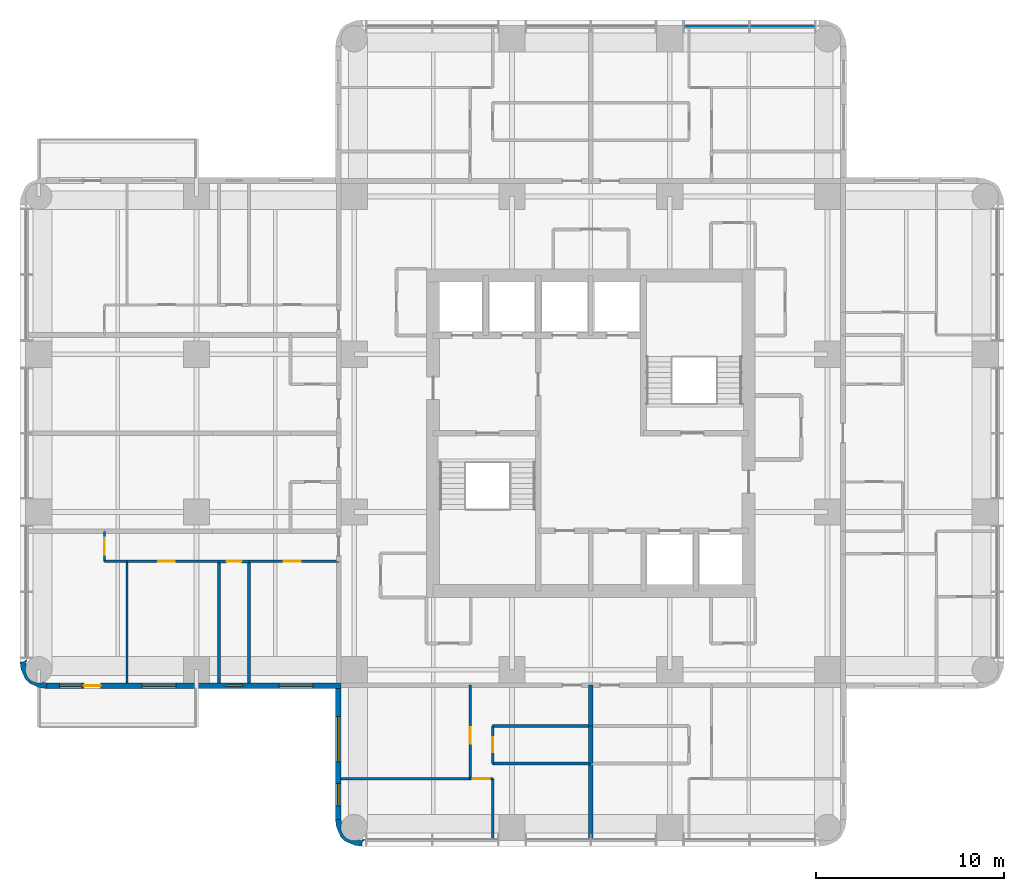
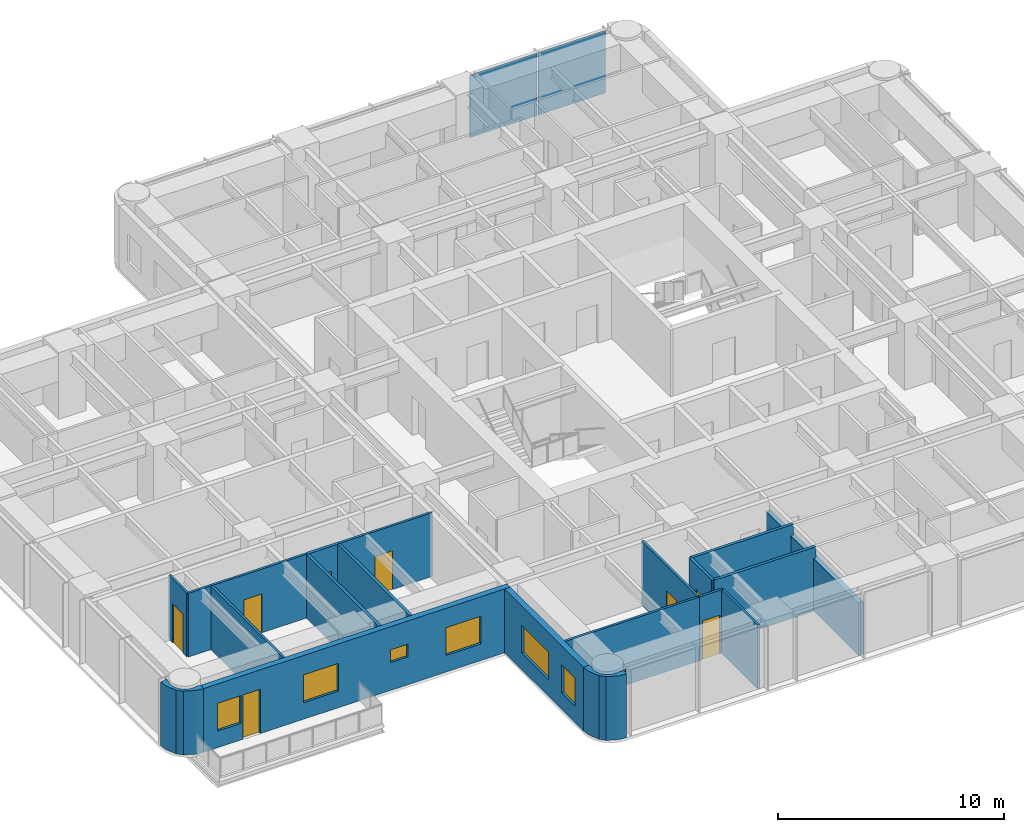
# One storey, part 4 of 11: 22 walls, 8 doors, 6 windows, 2 plates, 14 openings, 1 element without a shape of its own.
"""IFC4 building model written with IfcOpenShell, lengths in metres."""

import ifcopenshell
import ifcopenshell.guid

model = None  # the IFC model being written
_history = None  # IfcOwnerHistory: only IFC2X3 demands one
_inside = {}  # id of a spatial element -> (the spatial element, [elements in it])
_under = {}  # id of a project, library or spatial element -> (it, [spatial elements below it])
_declared = {}  # id of a project -> (the project, [libraries it declares])
_typed = {}  # id of a type object -> (the type object, [elements of that type])
_made_of = {}  # id of a material, layer set ... -> (it, [elements and type objects made of it])


def new_model(schema):
    """Start an empty IFC model of exactly this schema.

    Asked for "IFC4X3", IfcOpenShell would pick the latest addendum, in which some entities
    have other attributes; the version numbers below select the first issue.
    IFC2X3 requires an IfcOwnerHistory on every rooted entity: one is made here for all.
    """
    global model, _history
    if schema == "IFC4X3":
        model = ifcopenshell.file(schema_version=(4, 3, 0, 0))
    else:
        model = ifcopenshell.file(schema=schema)
    _inside.clear()
    _under.clear()
    _declared.clear()
    _typed.clear()
    _made_of.clear()
    _history = None
    if model.schema == "IFC2X3":
        org = make("IfcOrganization", Name="unknown")
        user = make(
            "IfcPersonAndOrganization",
            ThePerson=make("IfcPerson", FamilyName="unknown"),
            TheOrganization=org,
        )
        app = make(
            "IfcApplication",
            ApplicationDeveloper=org,
            Version="unknown",
            ApplicationFullName="unknown",
            ApplicationIdentifier="unknown",
        )
        _history = make(
            "IfcOwnerHistory",
            OwningUser=user,
            OwningApplication=app,
            ChangeAction="ADDED",
            CreationDate=0,
        )
    return model


def make(cls, **values):
    """One entity of the class cls with the attributes given. An attribute that is None is left unset."""
    return model.create_entity(
        cls, **{name: value for name, value in values.items() if value is not None}
    )


def rooted(cls, **values):
    """An entity with a GlobalId (a new one), such as an element, a storey or a relation."""
    return make(cls, GlobalId=ifcopenshell.guid.new(), OwnerHistory=_history, **values)


def si_unit(unit_type, name, prefix=None):
    """IfcSIUnit, for example si_unit("LENGTHUNIT", "METRE", prefix="MILLI")."""
    return make("IfcSIUnit", UnitType=unit_type, Prefix=prefix, Name=name)


def assignment(units):
    """IfcUnitAssignment: the units of a project."""
    return None if units is None else make("IfcUnitAssignment", Units=units)


def point(xyz):
    """IfcCartesianPoint."""
    return None if xyz is None else make("IfcCartesianPoint", Coordinates=xyz)


def direction(xyz):
    """IfcDirection."""
    return None if xyz is None else make("IfcDirection", DirectionRatios=xyz)


def frame(location, z_axis=None, x_axis=None):
    """IfcAxis2Placement3D, a coordinate frame: its origin and axes. An axis left out is left unset."""
    return make(
        "IfcAxis2Placement3D",
        Location=point(location),
        Axis=direction(z_axis),
        RefDirection=direction(x_axis),
    )


def frame_2d(location, x_axis=None):
    """IfcAxis2Placement2D, a coordinate frame in the plane: its origin and x axis."""
    return make(
        "IfcAxis2Placement2D", Location=point(location), RefDirection=direction(x_axis)
    )


def origin():
    """The frame at (0, 0, 0) with its axes left unset."""
    return frame((0.0, 0.0, 0.0))


def origin_2d():
    """The frame at (0, 0) in the plane with its x axis left unset."""
    return frame_2d((0.0, 0.0))


def place(relative_to, where):
    """IfcLocalPlacement: puts the frame where relative to a parent placement (None: the world)."""
    return make(
        "IfcLocalPlacement", PlacementRelTo=relative_to, RelativePlacement=where
    )


def context(
    kind, dimensions, precision=None, world=None, true_north=None, identifier=None
):
    """IfcGeometricRepresentationContext, for example the 3D "Model" context."""
    return make(
        "IfcGeometricRepresentationContext",
        ContextIdentifier=identifier,
        ContextType=kind,
        CoordinateSpaceDimension=dimensions,
        Precision=precision,
        WorldCoordinateSystem=world,
        TrueNorth=true_north,
    )


def subcontext(parent, identifier, kind, view, scale=None):
    """IfcGeometricRepresentationSubContext, for example "Body" below "Model"."""
    return make(
        "IfcGeometricRepresentationSubContext",
        ContextIdentifier=identifier,
        ContextType=kind,
        ParentContext=parent,
        TargetScale=scale,
        TargetView=view,
    )


def project(units=None, contexts=None):
    """IfcProject with its units and contexts."""
    return rooted(
        "IfcProject",
        Name="project",
        RepresentationContexts=contexts,
        UnitsInContext=assignment(units),
    )


def spatial(cls, under=None, at=None, **own):
    """A site, building, storey or space (cls), placed at a placement, below another one or the project."""
    s = rooted(cls, ObjectPlacement=at, **own)
    if under is not None:
        _under.setdefault(under.id(), (under, []))[1].append(s)
    return s


def polyline(points):
    """IfcPolyline through the points."""
    return make("IfcPolyline", Points=[point(p) for p in points])


def profile(cls, at=None, kind="AREA", **sizes):
    """A parametric profile (cls). Its sizes go by their IFC names, for example OverallWidth=200.0."""
    return make(cls, ProfileType=kind, Position=at, **sizes)


def rectangle(**sizes):
    """IfcRectangleProfileDef."""
    return profile("IfcRectangleProfileDef", **sizes)


def outline(outer, holes=None, kind="AREA"):
    """IfcArbitraryClosedProfileDef: a profile drawn as a closed curve; with holes, ...WithVoids."""
    if holes is None:
        return make("IfcArbitraryClosedProfileDef", ProfileType=kind, OuterCurve=outer)
    return make(
        "IfcArbitraryProfileDefWithVoids",
        ProfileType=kind,
        OuterCurve=outer,
        InnerCurves=holes,
    )


def extrude(swept, where, along, depth):
    """IfcExtrudedAreaSolid: the profile swept, set in the frame where, extruded along a direction by depth."""
    return make(
        "IfcExtrudedAreaSolid",
        SweptArea=swept,
        Position=where,
        ExtrudedDirection=direction(along),
        Depth=depth,
    )


def shape(context_of_items, identifier, shape_type, items):
    """IfcShapeRepresentation: the items that make up one representation, for example the "Body"."""
    return make(
        "IfcShapeRepresentation",
        ContextOfItems=context_of_items,
        RepresentationIdentifier=identifier,
        RepresentationType=shape_type,
        Items=items,
    )


def material(Name=None, Category=None):
    """IfcMaterial."""
    return make("IfcMaterial", Name=Name, Category=Category)


def layer(
    of_material, thickness, ventilated=None, Name=None, Category=None, Priority=None
):
    """IfcMaterialLayer: one layer of a wall or slab, of a material (None: an air gap)."""
    return make(
        "IfcMaterialLayer",
        Material=of_material,
        LayerThickness=thickness,
        IsVentilated=ventilated,
        Name=Name,
        Category=Category,
        Priority=Priority,
    )


def layer_set(layers, Name=None):
    """IfcMaterialLayerSet."""
    return make("IfcMaterialLayerSet", MaterialLayers=layers, LayerSetName=Name)


def made_of(thing, what):
    """Note that an element or type object is made of a material, layer set ...; save() writes the relation."""
    if what is not None:
        _made_of.setdefault(what.id(), (what, []))[1].append(thing)
    return thing


def type_object(cls, material=None, **own):
    """A type object (cls), such as IfcWallType, which elements share."""
    return made_of(rooted(cls, **own), material)


def element(
    cls,
    number,
    at=None,
    inside=None,
    cuts=None,
    type_object=None,
    material=None,
    context=None,
    identifier="Body",
    shape_type=None,
    held_by="IfcProductDefinitionShape",
    body=None,
    shapes=None,
    **own,
):
    """One element of the class cls, such as IfcWall. Its Tag is "e" and its number.

    at: its placement. inside: the storey or other place that contains it. cuts: it is an
    opening in that element (IfcRelVoidsElement). A single representation is given by context,
    identifier, shape_type and body (its items); several are given by shapes. held_by: the class
    of the entity that holds the representations. save() writes the other relations.
    """
    e = rooted(cls, Tag="e%d" % number, ObjectPlacement=at, **own)
    if body is not None:
        shapes = [shape(context, identifier, shape_type, body)]
    if shapes is not None:
        e.Representation = make(held_by, Representations=shapes)
    if inside is not None:
        _inside.setdefault(inside.id(), (inside, []))[1].append(e)
    if cuts is not None:
        rooted(
            "IfcRelVoidsElement", RelatingBuildingElement=cuts, RelatedOpeningElement=e
        )
    if type_object is not None:
        _typed.setdefault(type_object.id(), (type_object, []))[1].append(e)
    return made_of(e, material)


def fill(opening, filler):
    """IfcRelFillsElement: the door or window that sits in an opening."""
    return rooted(
        "IfcRelFillsElement",
        RelatingOpeningElement=opening,
        RelatedBuildingElement=filler,
    )


def aggregate(whole, parts):
    """IfcRelAggregates: a whole, such as a stair, and the parts it consists of."""
    return rooted("IfcRelAggregates", RelatingObject=whole, RelatedObjects=parts)


def save(model, path):
    """Write the relations noted so far, then the file.

    IfcRelAggregates (storeys below a building ...), IfcRelContainedInSpatialStructure (elements
    in a storey), IfcRelDefinesByType, IfcRelAssociatesMaterial and IfcRelDeclares: one each for
    every whole, place, type object, material and project.
    """
    for whole, parts in _under.values():
        aggregate(whole, parts)
    for where, things in _inside.values():
        rooted(
            "IfcRelContainedInSpatialStructure",
            RelatedElements=things,
            RelatingStructure=where,
        )
    for kind, things in _typed.values():
        rooted("IfcRelDefinesByType", RelatedObjects=things, RelatingType=kind)
    for what, things in _made_of.values():
        rooted("IfcRelAssociatesMaterial", RelatedObjects=things, RelatingMaterial=what)
    for by, libraries in _declared.values():
        rooted("IfcRelDeclares", RelatingContext=by, RelatedDefinitions=libraries)
    model.write(path)


model = new_model("IFC4")

# Units and contexts
model_context = context("Model", 3, precision=1e-05, world=origin(), true_north=direction((0.0, 1.0)))
body_context = subcontext(model_context, "Body", "Model", "MODEL_VIEW")
ifc_project = project(units=[si_unit("LENGTHUNIT", "METRE"), si_unit("AREAUNIT", "SQUARE_METRE"), si_unit("VOLUMEUNIT", "CUBIC_METRE"), si_unit("PLANEANGLEUNIT", "RADIAN"), si_unit("MASSUNIT", "GRAM", prefix="KILO")], contexts=[model_context])

# Site, building, storey
site_placement = place(None, origin())
site = spatial("IfcSite", under=ifc_project, at=site_placement, CompositionType="ELEMENT")
building_placement = place(site_placement, origin())
building = spatial("IfcBuilding", under=site, at=building_placement, Name="Torre Alcanfor", CompositionType="ELEMENT")
storey_placement = place(building_placement, frame((0.0, 0.0, 212.10009765625)))
storey = spatial("IfcBuildingStorey", under=building, at=storey_placement, Name="L55", CompositionType="ELEMENT", Elevation=212.10009765625)

# Curtain wall, plates
ifc_material_1 = material(Name="Aluminium and glass", Category="aluminium")
curtain_wall_type = type_object("IfcCurtainWallType", Name="CW-A unitised apartment glazing with vertical FIN", PredefinedType="NOTDEFINED", material=ifc_material_1)
curtain_wall_placement = place(storey_placement, origin())
curtain_wall = element("IfcCurtainWall", 1, at=curtain_wall_placement, inside=storey, type_object=curtain_wall_type, Name="Curtain wall CW-A L55 11", PredefinedType="NOTDEFINED")
ifc_material_2 = material(Name="Glass", Category="glass")
ifc_layer_1 = layer(ifc_material_2, 0.028076171875)
ifc_layer_set_1 = layer_set([ifc_layer_1], Name="CW-A clear double glazed unit")
plate_type = type_object("IfcPlateType", Name="CW-A clear double glazed unit", PredefinedType="CURTAIN_PANEL", material=ifc_layer_set_1)
plate_1_placement = place(storey_placement, frame((39.60107421875, 51.050048828125, 0.0), z_axis=(0.0, 0.0, 1.0), x_axis=(-1.0, 0.0, 0.0)))
plate_1 = element("IfcPlate", 2, at=plate_1_placement, type_object=plate_type, Name="CW-A panel 1.1.1", PredefinedType="CURTAIN_PANEL", context=body_context, shape_type="SweptSolid", body=[
    extrude(rectangle(XDim=3.444091796875, YDim=0.028076171875, at=origin_2d()), origin(), (0.0, 0.0, 1.0), 3.385009765625),
])
plate_2_placement = place(storey_placement, frame((36.092041015625, 51.050048828125, 0.0), z_axis=(0.0, 0.0, 1.0), x_axis=(-1.0, 0.0, 0.0)))
plate_2 = element("IfcPlate", 3, at=plate_2_placement, type_object=plate_type, Name="CW-A panel 1.2.1", PredefinedType="CURTAIN_PANEL", context=body_context, shape_type="SweptSolid", body=[
    extrude(rectangle(XDim=3.444091796875, YDim=0.028076171875, at=origin_2d()), origin(), (0.0, 0.0, 1.0), 3.385009765625),
])
aggregate(curtain_wall, [plate_1, plate_2])

# Wall, opening, door
ifc_material_3 = material(Name="Gypsum board on steel studs", Category="steel")
ifc_layer_2 = layer(ifc_material_3, 0.1201171875)
ifc_layer_set_2 = layer_set([ifc_layer_2], Name="Apartment partition 120")
wall_type_1 = type_object("IfcWallType", Name="Apartment partition 120", PredefinedType="PARTITIONING", material=ifc_layer_set_2)
wall_1_placement = place(storey_placement, frame((22.970947265625, 11.0, 0.0), z_axis=(0.0, 0.0, 1.0), x_axis=(0.0, 1.0, 0.0)))
wall_1 = element("IfcWall", 4, at=wall_1_placement, inside=storey, type_object=wall_type_1, Name="Partition L55-S2-LIVING / L55-S2-BED2", PredefinedType="PARTITIONING", context=body_context, shape_type="SweptSolid", body=[
    extrude(rectangle(XDim=4.97509765625, YDim=0.1201171875, at=frame_2d((2.487548828125, 0.0))), origin(), (0.0, 0.0, 1.0), 3.449951171875),
])
opening_1_placement = place(wall_1_placement, frame((1.85009765625, 0.0, 0.0)))
opening_1 = element("IfcOpeningElement", 5, at=opening_1_placement, cuts=wall_1, Name="Opening D-R1", PredefinedType="OPENING", context=body_context, shape_type="SweptSolid", body=[
    extrude(rectangle(XDim=0.89990234375, YDim=2.10009765625, at=frame_2d((0.449951171875, 1.050048828125))), frame((0.0, 0.070068359375, 0.0), z_axis=(0.0, -1.0, 0.0), x_axis=(1.0, 0.0, 0.0)), (0.0, 0.0, 1.0), 0.14013671875),
])
ifc_material_4 = material(Name="Timber", Category="wood")
door_type_1 = type_object("IfcDoorType", Name="Internal door 900x2100", OperationType="SINGLE_SWING_LEFT", PredefinedType="DOOR", material=ifc_material_4)
door_1_placement = place(opening_1_placement, origin())
door_1 = element("IfcDoor", 6, at=door_1_placement, inside=storey, type_object=door_type_1, Name="Door L55-S2 bed2", OperationType="SINGLE_SWING_LEFT", OverallHeight=2.10009765625, OverallWidth=0.89990234375, PredefinedType="DOOR", context=body_context, shape_type="SweptSolid", body=[
    extrude(rectangle(XDim=0.89990234375, YDim=2.10009765625, at=frame_2d((0.449951171875, 1.050048828125))), frame((0.0, 0.02490234375, 0.0), z_axis=(0.0, -1.0, 0.0), x_axis=(1.0, 0.0, 0.0)), (0.0, 0.0, 1.0), 0.050048828125),
])
fill(opening_1, door_1)

# Wall
wall_2_placement = place(storey_placement, frame((24.1708984375, 7.75, 0.0), z_axis=(0.0, 0.0, 1.0), x_axis=(0.0, 1.0, 0.0)))
element("IfcWall", 7, at=wall_2_placement, inside=storey, type_object=wall_type_1, Name="Partition L55-S2-LIVING / L55-S2-MASTER", PredefinedType="PARTITIONING", context=body_context, shape_type="SweptSolid", body=[
    extrude(rectangle(XDim=3.25, YDim=0.1201171875, at=frame_2d((1.625, 0.0))), origin(), (0.0, 0.0, 1.0), 3.449951171875),
])

# Wall, opening, door
wall_3_placement = place(storey_placement, frame((24.1708984375, 11.0, 0.0), z_axis=(0.0, 0.0, 1.0), x_axis=(-1.0, 0.0, 0.0)))
wall_3 = element("IfcWall", 8, at=wall_3_placement, inside=storey, type_object=wall_type_1, Name="Partition L55-S2-LIVING / L55-S2-MASTER", PredefinedType="PARTITIONING", context=body_context, shape_type="SweptSolid", body=[
    extrude(rectangle(XDim=1.199951171875, YDim=0.1201171875, at=frame_2d((0.60009765625, 0.0))), origin(), (0.0, 0.0, 1.0), 3.449951171875),
])
opening_2_placement = place(wall_3_placement, frame((0.15087890625, 0.0, 0.0)))
opening_2 = element("IfcOpeningElement", 9, at=opening_2_placement, cuts=wall_3, Name="Opening D-R1", PredefinedType="OPENING", context=body_context, shape_type="SweptSolid", body=[
    extrude(rectangle(XDim=0.89990234375, YDim=2.10009765625, at=frame_2d((0.449951171875, 1.050048828125))), frame((0.0, 0.070068359375, 0.0), z_axis=(0.0, -1.0, 0.0), x_axis=(1.0, 0.0, 0.0)), (0.0, 0.0, 1.0), 0.14013671875),
])
door_2_placement = place(opening_2_placement, origin())
door_2 = element("IfcDoor", 10, at=door_2_placement, inside=storey, type_object=door_type_1, Name="Door L55-S2 master", OperationType="SINGLE_SWING_LEFT", OverallHeight=2.10009765625, OverallWidth=0.89990234375, PredefinedType="DOOR", context=body_context, shape_type="SweptSolid", body=[
    extrude(rectangle(XDim=0.89990234375, YDim=2.10009765625, at=frame_2d((0.449951171875, 1.050048828125))), frame((0.0, 0.02490234375, 0.0), z_axis=(0.0, -1.0, 0.0), x_axis=(1.0, 0.0, 0.0)), (0.0, 0.0, 1.0), 0.050048828125),
])
fill(opening_2, door_2)

# Wall
wall_4_placement = place(storey_placement, frame((22.970947265625, 11.0, 0.0), z_axis=(0.0, 0.0, 1.0), x_axis=(-1.0, 0.0, 0.0)))
element("IfcWall", 11, at=wall_4_placement, inside=storey, type_object=wall_type_1, Name="Partition L55-S2-BED2 / L55-S2-MASTER", PredefinedType="PARTITIONING", context=body_context, shape_type="SweptSolid", body=[
    extrude(rectangle(XDim=6.870849609375, YDim=0.1201171875, at=frame_2d((3.435546875, 0.0))), origin(), (0.0, 0.0, 1.0), 3.449951171875),
])

# Wall, opening, door
wall_5_placement = place(storey_placement, frame((11.199951171875, 22.571044921875, 0.0), z_axis=(0.0, 0.0, 1.0), x_axis=(1.0, 0.0, 0.0)))
wall_5 = element("IfcWall", 12, at=wall_5_placement, inside=storey, type_object=wall_type_1, Name="Partition L55-W1B-HALL / L55-W1B-BED2", PredefinedType="PARTITIONING", context=body_context, shape_type="SweptSolid", body=[
    extrude(rectangle(XDim=4.775146484375, YDim=0.1201171875, at=frame_2d((2.3876953125, 0.0))), origin(), (0.0, 0.0, 1.0), 3.449951171875),
])
opening_3_placement = place(wall_5_placement, frame((1.85009765625, 0.0, 0.0)))
opening_3 = element("IfcOpeningElement", 13, at=opening_3_placement, cuts=wall_5, Name="Opening D-R1", PredefinedType="OPENING", context=body_context, shape_type="SweptSolid", body=[
    extrude(rectangle(XDim=0.89990234375, YDim=2.10009765625, at=frame_2d((0.449951171875, 1.050048828125))), frame((0.0, 0.070068359375, 0.0), z_axis=(0.0, -1.0, 0.0), x_axis=(1.0, 0.0, 0.0)), (0.0, 0.0, 1.0), 0.14013671875),
])
door_3_placement = place(opening_3_placement, frame((0.89990234375, 0.0, 0.0), z_axis=(0.0, 0.0, 1.0), x_axis=(-1.0, 0.0, 0.0)))
door_3 = element("IfcDoor", 14, at=door_3_placement, inside=storey, type_object=door_type_1, Name="Door L55-W1B bed2", OperationType="SINGLE_SWING_RIGHT", OverallHeight=2.10009765625, OverallWidth=0.89990234375, PredefinedType="DOOR", context=body_context, shape_type="SweptSolid", body=[
    extrude(rectangle(XDim=0.89990234375, YDim=2.10009765625, at=frame_2d((0.449951171875, 1.050048828125))), frame((0.0, 0.025146484375, 0.0), z_axis=(0.0, -1.0, 0.0), x_axis=(1.0, 0.0, 0.0)), (0.0, 0.0, 1.0), 0.050048828125),
])
fill(opening_3, door_3)

wall_6_placement = place(storey_placement, frame((4.699951171875, 22.571044921875, 0.0), z_axis=(0.0, 0.0, 1.0), x_axis=(1.0, 0.0, 0.0)))
wall_6 = element("IfcWall", 15, at=wall_6_placement, inside=storey, type_object=wall_type_1, Name="Partition L55-W1B-HALL / L55-W1B-MASTER", PredefinedType="PARTITIONING", context=body_context, shape_type="SweptSolid", body=[
    extrude(rectangle(XDim=4.900146484375, YDim=0.1201171875, at=frame_2d((2.4501953125, 0.0))), origin(), (0.0, 0.0, 1.0), 3.449951171875),
])
opening_4_placement = place(wall_6_placement, frame((1.64990234375, 0.0, 0.0)))
opening_4 = element("IfcOpeningElement", 16, at=opening_4_placement, cuts=wall_6, Name="Opening D-R1", PredefinedType="OPENING", context=body_context, shape_type="SweptSolid", body=[
    extrude(rectangle(XDim=0.89990234375, YDim=2.10009765625, at=frame_2d((0.449951171875, 1.050048828125))), frame((0.0, 0.070068359375, 0.0), z_axis=(0.0, -1.0, 0.0), x_axis=(1.0, 0.0, 0.0)), (0.0, 0.0, 1.0), 0.14013671875),
])
door_4_placement = place(opening_4_placement, frame((0.89990234375, 0.0, 0.0), z_axis=(0.0, 0.0, 1.0), x_axis=(-1.0, 0.0, 0.0)))
door_4 = element("IfcDoor", 17, at=door_4_placement, inside=storey, type_object=door_type_1, Name="Door L55-W1B master", OperationType="SINGLE_SWING_RIGHT", OverallHeight=2.10009765625, OverallWidth=0.89990234375, PredefinedType="DOOR", context=body_context, shape_type="SweptSolid", body=[
    extrude(rectangle(XDim=0.89990234375, YDim=2.10009765625, at=frame_2d((0.449951171875, 1.050048828125))), frame((0.0, 0.025146484375, 0.0), z_axis=(0.0, -1.0, 0.0), x_axis=(1.0, 0.0, 0.0)), (0.0, 0.0, 1.0), 0.050048828125),
])
fill(opening_4, door_4)

# Wall
wall_7_placement = place(storey_placement, frame((3.5, 22.571044921875, 0.0), z_axis=(0.0, 0.0, 1.0), x_axis=(1.0, 0.0, 0.0)))
element("IfcWall", 18, at=wall_7_placement, inside=storey, type_object=wall_type_1, Name="Partition L55-W1B-HALL / L55-W1B-KITCHEN", PredefinedType="PARTITIONING", context=body_context, shape_type="SweptSolid", body=[
    extrude(rectangle(XDim=1.199951171875, YDim=0.1201171875, at=frame_2d((0.60009765625, 0.0))), origin(), (0.0, 0.0, 1.0), 3.449951171875),
])

# Wall, opening, door
wall_8_placement = place(storey_placement, frame((3.5, 24.1708984375, 0.0), z_axis=(0.0, 0.0, 1.0), x_axis=(0.0, -1.0, 0.0)))
wall_8 = element("IfcWall", 19, at=wall_8_placement, inside=storey, type_object=wall_type_1, Name="Partition L55-W1B-HALL / L55-W1B-LIVING", PredefinedType="PARTITIONING", context=body_context, shape_type="SweptSolid", body=[
    extrude(rectangle(XDim=1.599853515625, YDim=0.1201171875, at=frame_2d((0.7998046875, 0.0))), origin(), (0.0, 0.0, 1.0), 3.449951171875),
])
opening_5_placement = place(wall_8_placement, frame((0.35009765625, 0.0, 0.0)))
opening_5 = element("IfcOpeningElement", 20, at=opening_5_placement, cuts=wall_8, Name="Opening D-R1", PredefinedType="OPENING", context=body_context, shape_type="SweptSolid", body=[
    extrude(rectangle(XDim=0.89990234375, YDim=2.10009765625, at=frame_2d((0.449951171875, 1.050048828125))), frame((0.0, 0.070068359375, 0.0), z_axis=(0.0, -1.0, 0.0), x_axis=(1.0, 0.0, 0.0)), (0.0, 0.0, 1.0), 0.14013671875),
])
door_5_placement = place(opening_5_placement, frame((0.89990234375, 0.0, 0.0), z_axis=(0.0, 0.0, 1.0), x_axis=(-1.0, 0.0, 0.0)))
door_5 = element("IfcDoor", 21, at=door_5_placement, inside=storey, type_object=door_type_1, Name="Door L55-W1B living", OperationType="SINGLE_SWING_RIGHT", OverallHeight=2.10009765625, OverallWidth=0.89990234375, PredefinedType="DOOR", context=body_context, shape_type="SweptSolid", body=[
    extrude(rectangle(XDim=0.89990234375, YDim=2.10009765625, at=frame_2d((0.449951171875, 1.050048828125))), frame((0.0, 0.025146484375, 0.0), z_axis=(0.0, -1.0, 0.0), x_axis=(1.0, 0.0, 0.0)), (0.0, 0.0, 1.0), 0.050048828125),
])
fill(opening_5, door_5)

# Wall
wall_9_placement = place(storey_placement, frame((4.699951171875, 22.571044921875, 0.0), z_axis=(0.0, 0.0, 1.0), x_axis=(0.0, -1.0, 0.0)))
element("IfcWall", 22, at=wall_9_placement, inside=storey, type_object=wall_type_1, Name="Partition L55-W1B-MASTER / L55-W1B-KITCHEN", PredefinedType="PARTITIONING", context=body_context, shape_type="SweptSolid", body=[
    extrude(rectangle(XDim=6.470947265625, YDim=0.1201171875, at=frame_2d((3.2353515625, 0.0))), origin(), (0.0, 0.0, 1.0), 3.449951171875),
])

# Wall, openings, door, windows
ifc_material_5 = material(Name="Limestone cladding", Category="masonry")
ifc_layer_3 = layer(ifc_material_5, 0.0400390625, Name="Facing")
ifc_material_6 = material(Name="Ventilated air cavity")
ifc_layer_4 = layer(ifc_material_6, 0.02001953125, ventilated=True, Name="Ventilated joint")
ifc_material_7 = material(Name="Mineral wool insulation", Category="insulation")
ifc_layer_5 = layer(ifc_material_7, 0.10009765625, Name="Insulation")
ifc_material_8 = material(Name="Concrete f'c 35 MPa", Category="concrete")
ifc_layer_6 = layer(ifc_material_8, 0.139892578125, Name="Backing")
ifc_layer_set_3 = layer_set([ifc_layer_3, ifc_layer_4, ifc_layer_5, ifc_layer_6], Name="External wall stone-clad 300")
wall_type_2 = type_object("IfcWallType", Name="External wall stone-clad 300", PredefinedType="SOLIDWALL", material=ifc_layer_set_3)
wall_10_placement = place(storey_placement, frame((0.39990234375, 15.949951171875, 0.0), z_axis=(0.0, 0.0, 1.0), x_axis=(1.0, 0.0, 0.0)))
wall_10 = element("IfcWall", 23, at=wall_10_placement, inside=storey, type_object=wall_type_2, Name="External wall L55 3", PredefinedType="SOLIDWALL", context=body_context, shape_type="SweptSolid", body=[
    extrude(rectangle(XDim=15.7001953125, YDim=0.300048828125, at=frame_2d((7.85009765625, 0.0))), origin(), (0.0, 0.0, 1.0), 3.449951171875),
])
opening_6_placement = place(wall_10_placement, frame((12.39990234375, 0.0, 0.89990234375)))
opening_6 = element("IfcOpeningElement", 24, at=opening_6_placement, cuts=wall_10, Name="Opening W2", PredefinedType="OPENING", context=body_context, shape_type="SweptSolid", body=[
    extrude(rectangle(XDim=1.800048828125, YDim=1.5, at=frame_2d((0.89990234375, 0.75))), frame((0.0, 0.159912109375, 0.0), z_axis=(0.0, -1.0, 0.0), x_axis=(1.0, 0.0, 0.0)), (0.0, 0.0, 1.0), 0.320068359375),
])
opening_7_placement = place(wall_10_placement, frame((9.550048828125, 0.0, 1.5)))
opening_7 = element("IfcOpeningElement", 25, at=opening_7_placement, cuts=wall_10, Name="Opening W3", PredefinedType="OPENING", context=body_context, shape_type="SweptSolid", body=[
    extrude(rectangle(XDim=0.89990234375, YDim=0.699951171875, at=frame_2d((0.449951171875, 0.35009765625))), frame((0.0, 0.159912109375, 0.0), z_axis=(0.0, -1.0, 0.0), x_axis=(1.0, 0.0, 0.0)), (0.0, 0.0, 1.0), 0.320068359375),
])
opening_8_placement = place(wall_10_placement, frame((5.10009765625, 0.0, 0.89990234375)))
opening_8 = element("IfcOpeningElement", 26, at=opening_8_placement, cuts=wall_10, Name="Opening W2", PredefinedType="OPENING", context=body_context, shape_type="SweptSolid", body=[
    extrude(rectangle(XDim=1.800048828125, YDim=1.5, at=frame_2d((0.89990234375, 0.75))), frame((0.0, 0.159912109375, 0.0), z_axis=(0.0, -1.0, 0.0), x_axis=(1.0, 0.0, 0.0)), (0.0, 0.0, 1.0), 0.320068359375),
])
opening_9_placement = place(wall_10_placement, frame((2.0, 0.0, 0.0)))
opening_9 = element("IfcOpeningElement", 27, at=opening_9_placement, cuts=wall_10, Name="Opening D-B1", PredefinedType="OPENING", context=body_context, shape_type="SweptSolid", body=[
    extrude(rectangle(XDim=0.89990234375, YDim=2.39990234375, at=frame_2d((0.449951171875, 1.199951171875))), frame((0.0, 0.159912109375, 0.0), z_axis=(0.0, -1.0, 0.0), x_axis=(1.0, 0.0, 0.0)), (0.0, 0.0, 1.0), 0.320068359375),
])
opening_10_placement = place(wall_10_placement, frame((0.699951171875, 0.0, 0.89990234375)))
opening_10 = element("IfcOpeningElement", 28, at=opening_10_placement, cuts=wall_10, Name="Opening W4", PredefinedType="OPENING", context=body_context, shape_type="SweptSolid", body=[
    extrude(rectangle(XDim=1.199951171875, YDim=1.5, at=frame_2d((0.60009765625, 0.75))), frame((0.0, 0.159912109375, 0.0), z_axis=(0.0, -1.0, 0.0), x_axis=(1.0, 0.0, 0.0)), (0.0, 0.0, 1.0), 0.320068359375),
])
ifc_material_9 = material(Name="Aluminium and glass", Category="aluminium")
door_type_2 = type_object("IfcDoorType", Name="Balcony door glazed 900x2400", OperationType="SINGLE_SWING_LEFT", PredefinedType="DOOR", material=ifc_material_9)
door_6_placement = place(opening_9_placement, origin())
door_6 = element("IfcDoor", 29, at=door_6_placement, inside=storey, type_object=door_type_2, Name="Balcony door L55-W1", OperationType="SINGLE_SWING_RIGHT", OverallHeight=2.39990234375, OverallWidth=0.89990234375, PredefinedType="DOOR", context=body_context, shape_type="SweptSolid", body=[
    extrude(rectangle(XDim=0.89990234375, YDim=2.39990234375, at=frame_2d((0.449951171875, 1.199951171875))), frame((0.0, 0.02490234375, 0.0), z_axis=(0.0, -1.0, 0.0), x_axis=(1.0, 0.0, 0.0)), (0.0, 0.0, 1.0), 0.050048828125),
])
fill(opening_9, door_6)
ifc_material_10 = material(Name="Aluminium frame with clear double glazing", Category="aluminium")
window_type_1 = type_object("IfcWindowType", Name="Window bathroom 900x700", PartitioningType="SINGLE_PANEL", PredefinedType="WINDOW", material=ifc_material_10)
window_1_placement = place(opening_7_placement, origin())
window_1 = element("IfcWindow", 30, at=window_1_placement, inside=storey, type_object=window_type_1, Name="Window W3 L55-W1", OverallHeight=0.699951171875, OverallWidth=0.89990234375, PartitioningType="SINGLE_PANEL", PredefinedType="WINDOW", context=body_context, shape_type="SweptSolid", body=[
    extrude(rectangle(XDim=0.89990234375, YDim=0.699951171875, at=frame_2d((0.449951171875, 0.35009765625))), frame((0.0, 0.030029296875, 0.0), z_axis=(0.0, -1.0, 0.0), x_axis=(1.0, 0.0, 0.0)), (0.0, 0.0, 1.0), 0.06005859375),
])
fill(opening_7, window_1)
ifc_material_11 = material(Name="Aluminium frame with clear double glazing", Category="aluminium")
window_type_2 = type_object("IfcWindowType", Name="Window bedroom 1200x1500", PartitioningType="SINGLE_PANEL", PredefinedType="WINDOW", material=ifc_material_11)
window_2_placement = place(opening_10_placement, origin())
window_2 = element("IfcWindow", 31, at=window_2_placement, inside=storey, type_object=window_type_2, Name="Window W4 L55-W1", OverallHeight=1.5, OverallWidth=1.199951171875, PartitioningType="SINGLE_PANEL", PredefinedType="WINDOW", context=body_context, shape_type="SweptSolid", body=[
    extrude(rectangle(XDim=1.199951171875, YDim=1.5, at=frame_2d((0.60009765625, 0.75))), frame((0.0, 0.030029296875, 0.0), z_axis=(0.0, -1.0, 0.0), x_axis=(1.0, 0.0, 0.0)), (0.0, 0.0, 1.0), 0.06005859375),
])
fill(opening_10, window_2)
ifc_material_12 = material(Name="Aluminium frame with clear double glazing", Category="aluminium")
window_type_3 = type_object("IfcWindowType", Name="Window bedroom 1800x1500", PartitioningType="SINGLE_PANEL", PredefinedType="WINDOW", material=ifc_material_12)
window_3_placement = place(opening_6_placement, origin())
window_3 = element("IfcWindow", 32, at=window_3_placement, inside=storey, type_object=window_type_3, Name="Window W2 L55-W1", OverallHeight=1.5, OverallWidth=1.800048828125, PartitioningType="SINGLE_PANEL", PredefinedType="WINDOW", context=body_context, shape_type="SweptSolid", body=[
    extrude(rectangle(XDim=1.800048828125, YDim=1.5, at=frame_2d((0.89990234375, 0.75))), frame((0.0, 0.030029296875, 0.0), z_axis=(0.0, -1.0, 0.0), x_axis=(1.0, 0.0, 0.0)), (0.0, 0.0, 1.0), 0.06005859375),
])
fill(opening_6, window_3)
window_4_placement = place(opening_8_placement, origin())
window_4 = element("IfcWindow", 33, at=window_4_placement, inside=storey, type_object=window_type_3, Name="Window W2 L55-W1", OverallHeight=1.5, OverallWidth=1.800048828125, PartitioningType="SINGLE_PANEL", PredefinedType="WINDOW", context=body_context, shape_type="SweptSolid", body=[
    extrude(rectangle(XDim=1.800048828125, YDim=1.5, at=frame_2d((0.89990234375, 0.75))), frame((0.0, 0.030029296875, 0.0), z_axis=(0.0, -1.0, 0.0), x_axis=(1.0, 0.0, 0.0)), (0.0, 0.0, 1.0), 0.06005859375),
])
fill(opening_8, window_4)

# Wall, openings, windows
wall_11_placement = place(storey_placement, frame((15.949951171875, 15.800048828125, 0.0), z_axis=(0.0, 0.0, 1.0), x_axis=(0.0, -1.0, 0.0)))
wall_11 = element("IfcWall", 34, at=wall_11_placement, inside=storey, type_object=wall_type_2, Name="External wall L55 4", PredefinedType="SOLIDWALL", context=body_context, shape_type="SweptSolid", body=[
    extrude(rectangle(XDim=7.0, YDim=0.300048828125, at=frame_2d((3.5, 0.0))), origin(), (0.0, 0.0, 1.0), 3.449951171875),
])
opening_11_placement = place(wall_11_placement, frame((1.5, 0.0, 0.89990234375)))
opening_11 = element("IfcOpeningElement", 35, at=opening_11_placement, cuts=wall_11, Name="Opening W1", PredefinedType="OPENING", context=body_context, shape_type="SweptSolid", body=[
    extrude(rectangle(XDim=2.39990234375, YDim=1.5, at=frame_2d((1.199951171875, 0.75))), frame((0.0, 0.159912109375, 0.0), z_axis=(0.0, -1.0, 0.0), x_axis=(1.0, 0.0, 0.0)), (0.0, 0.0, 1.0), 0.320068359375),
])
opening_12_placement = place(wall_11_placement, frame((5.050048828125, 0.0, 0.89990234375)))
opening_12 = element("IfcOpeningElement", 36, at=opening_12_placement, cuts=wall_11, Name="Opening W4", PredefinedType="OPENING", context=body_context, shape_type="SweptSolid", body=[
    extrude(rectangle(XDim=1.199951171875, YDim=1.5, at=frame_2d((0.60009765625, 0.75))), frame((0.0, 0.159912109375, 0.0), z_axis=(0.0, -1.0, 0.0), x_axis=(1.0, 0.0, 0.0)), (0.0, 0.0, 1.0), 0.320068359375),
])
window_5_placement = place(opening_12_placement, origin())
window_5 = element("IfcWindow", 37, at=window_5_placement, inside=storey, type_object=window_type_2, Name="Window W4 L55-S2", OverallHeight=1.5, OverallWidth=1.199951171875, PartitioningType="SINGLE_PANEL", PredefinedType="WINDOW", context=body_context, shape_type="SweptSolid", body=[
    extrude(rectangle(XDim=1.199951171875, YDim=1.5, at=frame_2d((0.60009765625, 0.75))), frame((0.0, 0.030029296875, 0.0), z_axis=(0.0, -1.0, 0.0), x_axis=(1.0, 0.0, 0.0)), (0.0, 0.0, 1.0), 0.06005859375),
])
fill(opening_12, window_5)
ifc_material_13 = material(Name="Aluminium frame with clear double glazing", Category="aluminium")
window_type_4 = type_object("IfcWindowType", Name="Window bedroom 2400x1500", PartitioningType="SINGLE_PANEL", PredefinedType="WINDOW", material=ifc_material_13)
window_6_placement = place(opening_11_placement, origin())
window_6 = element("IfcWindow", 38, at=window_6_placement, inside=storey, type_object=window_type_4, Name="Window W1 L55-S2", OverallHeight=1.5, OverallWidth=2.39990234375, PartitioningType="SINGLE_PANEL", PredefinedType="WINDOW", context=body_context, shape_type="SweptSolid", body=[
    extrude(rectangle(XDim=2.39990234375, YDim=1.5, at=frame_2d((1.199951171875, 0.75))), frame((0.0, 0.030029296875, 0.0), z_axis=(0.0, -1.0, 0.0), x_axis=(1.0, 0.0, 0.0)), (0.0, 0.0, 1.0), 0.06005859375),
])
fill(opening_11, window_6)

# Walls
ifc_material_14 = material(Name="Concrete block masonry, hollow blocks NMX-C-404 9 MPa", Category="masonry")
ifc_layer_7 = layer(ifc_material_14, 0.25)
ifc_layer_set_4 = layer_set([ifc_layer_7], Name="Party wall 250 EI 60")
wall_type_3 = type_object("IfcWallType", Name="Party wall 250 EI 60", PredefinedType="PARTITIONING", material=ifc_layer_set_4)
wall_12_placement = place(storey_placement, frame((29.39990234375, 13.800048828125, 0.0), z_axis=(0.0, 0.0, 1.0), x_axis=(0.0, -1.0, 0.0)))
element("IfcWall", 39, at=wall_12_placement, inside=storey, type_object=wall_type_3, Name="Partition L55-S1-BATH / L55-S2-BATH", PredefinedType="PARTITIONING", context=body_context, shape_type="SweptSolid", body=[
    extrude(rectangle(XDim=2.0, YDim=0.25, at=frame_2d((1.0, 0.0))), origin(), (0.0, 0.0, 1.0), 2.847900390625),
])
wall_13_placement = place(storey_placement, frame((29.39990234375, 7.75, 0.0), z_axis=(0.0, 0.0, 1.0), x_axis=(0.0, 1.0, 0.0)))
element("IfcWall", 40, at=wall_13_placement, inside=storey, type_object=wall_type_3, Name="Partition L55-S1-LIVING / L55-S2-LIVING", PredefinedType="PARTITIONING", context=body_context, shape_type="SweptSolid", body=[
    extrude(rectangle(XDim=4.050048828125, YDim=0.25, at=frame_2d((2.02490234375, 0.0))), origin(), (0.0, 0.0, 1.0), 2.847900390625),
])
wall_14_placement = place(storey_placement, frame((29.39990234375, 13.800048828125, 0.0), z_axis=(0.0, 0.0, 1.0), x_axis=(0.0, 1.0, 0.0)))
element("IfcWall", 41, at=wall_14_placement, inside=storey, type_object=wall_type_3, Name="Partition L55-S1-LIVING / L55-S2-LIVING", PredefinedType="PARTITIONING", context=body_context, shape_type="SweptSolid", body=[
    extrude(rectangle(XDim=2.175048828125, YDim=0.25, at=frame_2d((1.08740234375, 0.0))), origin(), (0.0, 0.0, 1.0), 2.847900390625),
])
ifc_layer_8 = layer(ifc_material_5, 0.0400390625, Name="Facing")
ifc_layer_9 = layer(ifc_material_6, 0.02001953125, ventilated=True, Name="Ventilated joint")
ifc_layer_10 = layer(ifc_material_7, 0.10009765625, Name="Insulation")
ifc_layer_11 = layer(ifc_material_8, 0.139892578125, Name="Backing")
ifc_layer_set_5 = layer_set([ifc_layer_8, ifc_layer_9, ifc_layer_10, ifc_layer_11], Name="Rounded corner pier stone-clad 300")
wall_type_4 = type_object("IfcWallType", Name="Rounded corner pier stone-clad 300", PredefinedType="SOLIDWALL", material=ifc_layer_set_5)
wall_15_placement = place(storey_placement, frame((-0.58815184, 17.312325495, 0.0), z_axis=(0.0, 0.0, 1.0), x_axis=(-0.898030234854, -0.439933741929, 0.0)))
element("IfcWall", 42, at=wall_15_placement, inside=storey, type_object=wall_type_4, Name="Corner pier L55 14", PredefinedType="SOLIDWALL", context=body_context, shape_type="SweptSolid", body=[
    extrude(outline(polyline([(-0.22200099779214466, 1.7927485446039917), (-0.3895203988851006, 1.5406953482066268), (-0.3717615001977944, 1.5319954866108696), (-0.1946893371505769, 1.4145296087243977), (-0.1196378565013686, 1.4095707271395082), (0.13074069042336733, 1.2869134192092004), (0.31532782000916126, 1.0776826467218847), (0.4055826710323692, 0.8140749979758074), (0.38797260783771476, 0.5356152877148042), (0.26531529990740693, 0.28523674079006817), (0.2089410932617622, 0.23564484500123395), (0.1476439801012907, 0.052805298357783616), (0.1048910758540722, 0.07374940960682917), (0.03174779503048235, -0.07555688676422617), (0.13758283616273645, -0.03932073839803114), (0.18192415361672865, -0.0004176855725517292), (0.4192893563182328, -0.08027036234769044), (0.5359265089611867, 0.2660343125058281), (0.55884082549336, 0.63079452952945), (0.5546362328412097, 0.6510690852705474), (0.5662389797265355, 0.8356887018617073), (0.45562482097298596, 1.1592927954286232), (0.3331931039366845, 1.297838781078767), (0.32408874086174466, 1.3164357373584665), (0.08241545456328281, 1.5906055834666009), (-0.22200099779214466, 1.7927485446039917)])), origin(), (0.0, 0.0, 1.0), 3.449951171875),
])
wall_16_placement = place(storey_placement, frame((16.075788181, 8.689684728, 0.0), z_axis=(0.0, 0.0, 1.0), x_axis=(-0.439933741929, -0.898030234854, 0.0)))
element("IfcWall", 43, at=wall_16_placement, inside=storey, type_object=wall_type_4, Name="Corner pier L55 15", PredefinedType="SOLIDWALL", context=body_context, shape_type="SweptSolid", body=[
    extrude(outline(polyline([(0.6637063463257242, 1.5769511452868783), (0.42612189796141386, 1.4969910628130267), (0.381999826170228, 1.536001521337219), (0.2761647850379738, 1.5722376697034142), (0.3493080658615637, 1.4229313733323588), (0.391841724445976, 1.4437680788826912), (0.45335808326925375, 1.261035937937954), (0.5097322899148984, 1.2114440421491197), (0.6323895978452062, 0.9610654952243838), (0.6499996610398608, 0.6826057849633805), (0.5595255643538466, 0.4188907305185901), (0.37515768043085884, 0.20976736372998736), (0.1247791335061229, 0.08711005579967954), (0.04972765285691469, 0.0821511742147902), (-0.1273445101903028, -0.035314703671681595), (-0.14532265454041515, -0.04412197096615204), (0.02219674655254064, -0.2961751673635169), (0.3266131989079681, -0.09403220622612604), (0.56828648520643, 0.18013763988200826), (0.5776100939441761, 0.19884200186042086), (0.6998225653176713, 0.33728058181185155), (0.810655969734027, 0.6609920810774806), (0.7990532228487013, 0.8456116976686404), (0.8030385698380452, 0.8657788477110249), (0.7801242533058719, 1.2305390647346468), (0.6637063463257242, 1.5769511452868783)])), origin(), (0.0, 0.0, 1.0), 3.449951171875),
])
ifc_material_15 = material(Name="Cement board on steel studs", Category="steel")
ifc_layer_12 = layer(ifc_material_15, 0.14990234375)
ifc_layer_set_6 = layer_set([ifc_layer_12], Name="Wet area partition 150")
wall_type_5 = type_object("IfcWallType", Name="Wet area partition 150", PredefinedType="PARTITIONING", material=ifc_layer_set_6)
wall_17_placement = place(storey_placement, frame((29.39990234375, 11.800048828125, 0.0), z_axis=(0.0, 0.0, 1.0), x_axis=(-1.0, 0.0, 0.0)))
element("IfcWall", 44, at=wall_17_placement, inside=storey, type_object=wall_type_5, Name="Partition L55-S2-BATH / L55-S2-LIVING", PredefinedType="PARTITIONING", context=body_context, shape_type="SweptSolid", body=[
    extrude(rectangle(XDim=5.22900390625, YDim=0.14990234375, at=frame_2d((2.614501953125, 0.0))), origin(), (0.0, 0.0, 1.0), 3.449951171875),
])

# Wall, opening, door
wall_18_placement = place(storey_placement, frame((24.1708984375, 11.800048828125, 0.0), z_axis=(0.0, 0.0, 1.0), x_axis=(0.0, 1.0, 0.0)))
wall_18 = element("IfcWall", 45, at=wall_18_placement, inside=storey, type_object=wall_type_5, Name="Partition L55-S2-BATH / L55-S2-LIVING", PredefinedType="PARTITIONING", context=body_context, shape_type="SweptSolid", body=[
    extrude(rectangle(XDim=2.0, YDim=0.14990234375, at=frame_2d((1.0, 0.0))), origin(), (0.0, 0.0, 1.0), 3.449951171875),
])
opening_13_placement = place(wall_18_placement, frame((0.60009765625, 0.0, 0.0)))
opening_13 = element("IfcOpeningElement", 46, at=opening_13_placement, cuts=wall_18, Name="Opening D-R2", PredefinedType="OPENING", context=body_context, shape_type="SweptSolid", body=[
    extrude(rectangle(XDim=0.800048828125, YDim=2.10009765625, at=frame_2d((0.39990234375, 1.050048828125))), frame((0.0, 0.0849609375, 0.0), z_axis=(0.0, -1.0, 0.0), x_axis=(1.0, 0.0, 0.0)), (0.0, 0.0, 1.0), 0.169921875),
])
ifc_material_16 = material(Name="Timber", Category="wood")
door_type_3 = type_object("IfcDoorType", Name="Bathroom door 800x2100", OperationType="SINGLE_SWING_LEFT", PredefinedType="DOOR", material=ifc_material_16)
door_7_placement = place(opening_13_placement, frame((0.800048828125, 0.0, 0.0), z_axis=(0.0, 0.0, 1.0), x_axis=(-1.0, 0.0, 0.0)))
door_7 = element("IfcDoor", 47, at=door_7_placement, inside=storey, type_object=door_type_3, Name="Door L55-S2 bath", OperationType="SINGLE_SWING_RIGHT", OverallHeight=2.10009765625, OverallWidth=0.800048828125, PredefinedType="DOOR", context=body_context, shape_type="SweptSolid", body=[
    extrude(rectangle(XDim=0.800048828125, YDim=2.10009765625, at=frame_2d((0.400146484375, 1.050048828125))), frame((0.0, 0.025146484375, 0.0), z_axis=(0.0, -1.0, 0.0), x_axis=(1.0, 0.0, 0.0)), (0.0, 0.0, 1.0), 0.050048828125),
])
fill(opening_13, door_7)

# Wall
wall_19_placement = place(storey_placement, frame((24.1708984375, 13.800048828125, 0.0), z_axis=(0.0, 0.0, 1.0), x_axis=(1.0, 0.0, 0.0)))
element("IfcWall", 48, at=wall_19_placement, inside=storey, type_object=wall_type_5, Name="Partition L55-S2-BATH / L55-S2-LIVING", PredefinedType="PARTITIONING", context=body_context, shape_type="SweptSolid", body=[
    extrude(rectangle(XDim=5.22900390625, YDim=0.14990234375, at=frame_2d((2.614501953125, 0.0))), origin(), (0.0, 0.0, 1.0), 3.449951171875),
])

# Wall, opening, door
wall_20_placement = place(storey_placement, frame((9.60009765625, 22.571044921875, 0.0), z_axis=(0.0, 0.0, 1.0), x_axis=(1.0, 0.0, 0.0)))
wall_20 = element("IfcWall", 49, at=wall_20_placement, inside=storey, type_object=wall_type_5, Name="Partition L55-W1B-HALL / L55-W1B-BATH", PredefinedType="PARTITIONING", context=body_context, shape_type="SweptSolid", body=[
    extrude(rectangle(XDim=1.599853515625, YDim=0.14990234375, at=frame_2d((0.7998046875, 0.0))), origin(), (0.0, 0.0, 1.0), 3.449951171875),
])
opening_14_placement = place(wall_20_placement, frame((0.39990234375, 0.0, 0.0)))
opening_14 = element("IfcOpeningElement", 50, at=opening_14_placement, cuts=wall_20, Name="Opening D-R2", PredefinedType="OPENING", context=body_context, shape_type="SweptSolid", body=[
    extrude(rectangle(XDim=0.800048828125, YDim=2.10009765625, at=frame_2d((0.39990234375, 1.050048828125))), frame((0.0, 0.0849609375, 0.0), z_axis=(0.0, -1.0, 0.0), x_axis=(1.0, 0.0, 0.0)), (0.0, 0.0, 1.0), 0.169921875),
])
door_8_placement = place(opening_14_placement, frame((0.800048828125, 0.0, 0.0), z_axis=(0.0, 0.0, 1.0), x_axis=(-1.0, 0.0, 0.0)))
door_8 = element("IfcDoor", 51, at=door_8_placement, inside=storey, type_object=door_type_3, Name="Door L55-W1B bath", OperationType="SINGLE_SWING_RIGHT", OverallHeight=2.10009765625, OverallWidth=0.800048828125, PredefinedType="DOOR", context=body_context, shape_type="SweptSolid", body=[
    extrude(rectangle(XDim=0.800048828125, YDim=2.10009765625, at=frame_2d((0.400146484375, 1.050048828125))), frame((0.0, 0.025146484375, 0.0), z_axis=(0.0, -1.0, 0.0), x_axis=(1.0, 0.0, 0.0)), (0.0, 0.0, 1.0), 0.050048828125),
])
fill(opening_14, door_8)

# Walls
for number, where, z_axis, x_axis, name in (
    (52, (11.199951171875, 22.571044921875, 0.0), (0.0, 0.0, 1.0), (0.0, -1.0, 0.0), "Partition L55-W1B-BED2 / L55-W1B-BATH"),
    (53, (9.60009765625, 22.571044921875, 0.0), (0.0, 0.0, 1.0), (0.0, -1.0, 0.0), "Partition L55-W1B-BATH / L55-W1B-MASTER"),
):
    element("IfcWall", number, at=place(storey_placement, frame(where, z_axis=z_axis, x_axis=x_axis)), inside=storey, type_object=wall_type_5, Name=name, PredefinedType="PARTITIONING", context=body_context, shape_type="SweptSolid", body=[
        extrude(rectangle(XDim=6.470947265625, YDim=0.14990234375, at=frame_2d((3.2353515625, 0.0))), origin(), (0.0, 0.0, 1.0), 3.449951171875),
    ])

save(model, "model.ifc")
